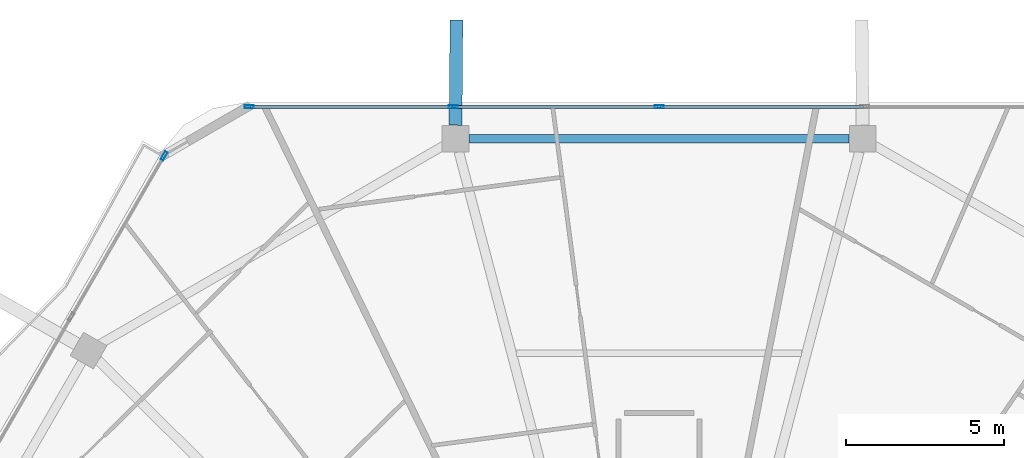
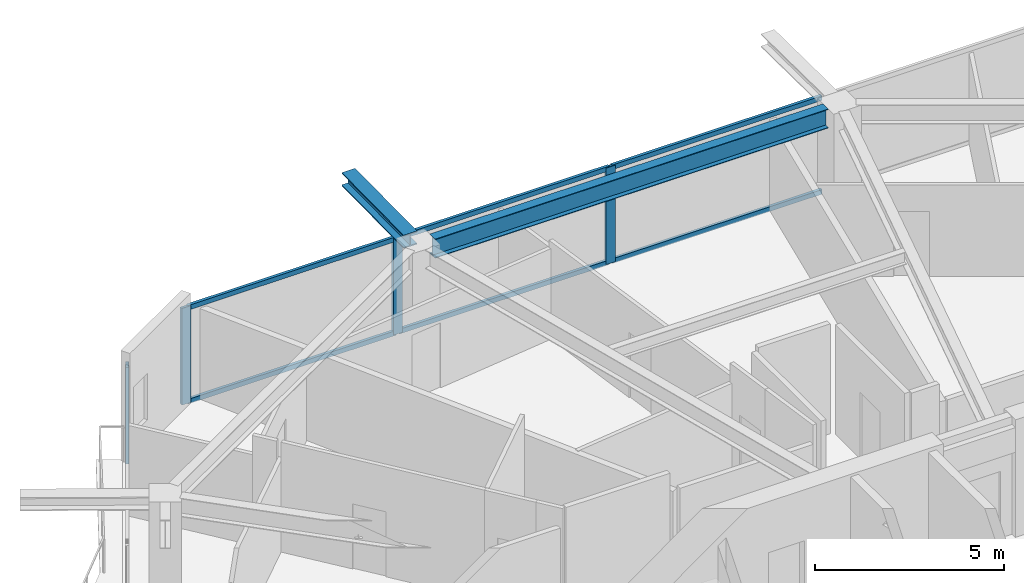
# One storey, part 13 of 26: 10 members, 2 beams, 2 elements without a shape of their own.
"""IFC4 building model written with IfcOpenShell, lengths in metres."""

from ifc_helpers import new_model, si_unit, direction, frame, origin, origin_2d, place, context, subcontext, project, spatial, hollow_rectangle, i_section, extrude, material, material_profile, profile_set, type_object, element, aggregate, save


model = new_model("IFC4")

# Units and contexts
model_context = context("Model", 3, precision=1e-05, world=origin(), true_north=direction((0.0, 1.0)))
body_context = subcontext(model_context, "Body", "Model", "MODEL_VIEW")
ifc_project = project(units=[si_unit("LENGTHUNIT", "METRE"), si_unit("AREAUNIT", "SQUARE_METRE"), si_unit("VOLUMEUNIT", "CUBIC_METRE"), si_unit("PLANEANGLEUNIT", "RADIAN"), si_unit("MASSUNIT", "GRAM", prefix="KILO")], contexts=[model_context])

# Site, building, storey
site_placement = place(None, origin())
site = spatial("IfcSite", under=ifc_project, at=site_placement, CompositionType="ELEMENT")
building_placement = place(site_placement, origin())
building = spatial("IfcBuilding", under=site, at=building_placement, Name="Zuhravey Tower", CompositionType="ELEMENT")
storey_placement = place(building_placement, frame((0.0, 0.0, 280.60009765625)))
storey = spatial("IfcBuildingStorey", under=building, at=storey_placement, Name="L71", CompositionType="ELEMENT", Elevation=280.60009765625)

# Curtain wall, member
ifc_material_1 = material(Name="Thermally broken anodised aluminium", Category="aluminium")
curtain_wall_type = type_object("IfcCurtainWallType", Name="Zone 3-4 High-Rise Curtain Wall CW4", PredefinedType="NOTDEFINED", material=ifc_material_1)
curtain_wall_1_placement = place(storey_placement, origin())
curtain_wall_1 = element("IfcCurtainWall", 1, at=curtain_wall_1_placement, inside=storey, type_object=curtain_wall_type, Name="L71 CW4 CW-L71-F3-1", PredefinedType="NOTDEFINED")
ifc_material_2 = material(Name="Anodised aluminium", Category="aluminium")
ifc_material_profile_1 = material_profile(ifc_material_2, hollow_rectangle(XDim=0.090087890625, YDim=0.284912109375, WallThickness=0.0048828125, at=origin_2d()), Name="ALU-RHS-90x285x5")
ifc_profile_set_1 = profile_set([ifc_material_profile_1], Name="Anodised aluminium")
member_type_1 = type_object("IfcMemberType", Name="Curtain-Wall Mullion 90x180", PredefinedType="MULLION", material=ifc_profile_set_1)
member_1_placement = place(storey_placement, frame((20.34521484375, 56.01220703125, 0.0), z_axis=(0.0, 0.0, 1.0), x_axis=(-0.866024370591, 0.500001789539, 0.0)))
member_1 = element("IfcMember", 2, at=member_1_placement, type_object=member_type_1, Name="CW4 mullion 5", PredefinedType="MULLION", context=body_context, shape_type="SweptSolid", body=[
    extrude(hollow_rectangle(XDim=0.090087890625, YDim=0.284912109375, WallThickness=0.0048828125, at=origin_2d()), origin(), (0.0, 0.0, 1.0), 3.121826171875),
])
aggregate(curtain_wall_1, [member_1])

# Curtain wall, members
curtain_wall_2_placement = place(storey_placement, origin())
curtain_wall_2 = element("IfcCurtainWall", 3, at=curtain_wall_2_placement, inside=storey, type_object=curtain_wall_type, Name="L71 CW4 CW-L71-F2-1", PredefinedType="NOTDEFINED")
member_2_placement = place(storey_placement, frame((23.0322265625, 57.563720703125, 0.0), z_axis=(0.0, 0.0, 1.0), x_axis=(0.0, 1.0, 0.0)))
member_2 = element("IfcMember", 4, at=member_2_placement, type_object=member_type_1, Name="CW4 mullion 1", PredefinedType="MULLION", context=body_context, shape_type="SweptSolid", body=[
    extrude(hollow_rectangle(XDim=0.090087890625, YDim=0.284912109375, WallThickness=0.0048828125, at=origin_2d()), origin(), (0.0, 0.0, 1.0), 3.121826171875),
])
member_3_placement = place(storey_placement, frame((29.49365234375, 57.563720703125, 0.0), z_axis=(0.0, 0.0, 1.0), x_axis=(0.0, 1.0, 0.0)))
member_3 = element("IfcMember", 5, at=member_3_placement, type_object=member_type_1, Name="CW4 mullion 2", PredefinedType="MULLION", context=body_context, shape_type="SweptSolid", body=[
    extrude(hollow_rectangle(XDim=0.090087890625, YDim=0.284912109375, WallThickness=0.0048828125, at=origin_2d()), origin(), (0.0, 0.0, 1.0), 3.121826171875),
])
member_4_placement = place(storey_placement, frame((36.0, 57.563720703125, 0.0), z_axis=(0.0, 0.0, 1.0), x_axis=(0.0, 1.0, 0.0)))
member_4 = element("IfcMember", 6, at=member_4_placement, type_object=member_type_1, Name="CW4 mullion 3", PredefinedType="MULLION", context=body_context, shape_type="SweptSolid", body=[
    extrude(hollow_rectangle(XDim=0.090087890625, YDim=0.284912109375, WallThickness=0.0048828125, at=origin_2d()), origin(), (0.0, 0.0, 1.0), 3.121826171875),
])
ifc_material_profile_2 = material_profile(ifc_material_2, hollow_rectangle(XDim=0.090087890625, YDim=0.14990234375, WallThickness=0.0048828125, at=origin_2d()), Name="ALU-RHS-90x150x5")
ifc_profile_set_2 = profile_set([ifc_material_profile_2], Name="Anodised aluminium")
member_type_2 = type_object("IfcMemberType", Name="Curtain-Wall Transom 90x150", PredefinedType="USERDEFINED", material=ifc_profile_set_2)
member_5_placement = place(storey_placement, frame((23.077392578125, 57.563720703125, 0.044921875), z_axis=(1.0, 0.0, 0.0), x_axis=(0.0, 1.0, 0.0)))
member_5 = element("IfcMember", 7, at=member_5_placement, type_object=member_type_2, Name="CW4 transom 1.1", ObjectType="TRANSOM", PredefinedType="USERDEFINED", context=body_context, shape_type="SweptSolid", body=[
    extrude(hollow_rectangle(XDim=0.090087890625, YDim=0.14990234375, WallThickness=0.0048828125, at=origin_2d()), origin(), (0.0, 0.0, 1.0), 6.371337890625),
])
member_6_placement = place(storey_placement, frame((23.077392578125, 57.563720703125, 3.076904296875), z_axis=(1.0, 0.0, 0.0), x_axis=(0.0, 1.0, 0.0)))
member_6 = element("IfcMember", 8, at=member_6_placement, type_object=member_type_2, Name="CW4 transom 1.2", ObjectType="TRANSOM", PredefinedType="USERDEFINED", context=body_context, shape_type="SweptSolid", body=[
    extrude(hollow_rectangle(XDim=0.090087890625, YDim=0.14990234375, WallThickness=0.0048828125, at=origin_2d()), origin(), (0.0, 0.0, 1.0), 6.371337890625),
])
member_7_placement = place(storey_placement, frame((29.53857421875, 57.563720703125, 0.044921875), z_axis=(1.0, 0.0, 0.0), x_axis=(0.0, 1.0, 0.0)))
member_7 = element("IfcMember", 9, at=member_7_placement, type_object=member_type_2, Name="CW4 transom 2.1", ObjectType="TRANSOM", PredefinedType="USERDEFINED", context=body_context, shape_type="SweptSolid", body=[
    extrude(hollow_rectangle(XDim=0.090087890625, YDim=0.14990234375, WallThickness=0.0048828125, at=origin_2d()), origin(), (0.0, 0.0, 1.0), 6.41650390625),
])
member_8_placement = place(storey_placement, frame((29.53857421875, 57.563720703125, 3.076904296875), z_axis=(1.0, 0.0, 0.0), x_axis=(0.0, 1.0, 0.0)))
member_8 = element("IfcMember", 10, at=member_8_placement, type_object=member_type_2, Name="CW4 transom 2.2", ObjectType="TRANSOM", PredefinedType="USERDEFINED", context=body_context, shape_type="SweptSolid", body=[
    extrude(hollow_rectangle(XDim=0.090087890625, YDim=0.14990234375, WallThickness=0.0048828125, at=origin_2d()), origin(), (0.0, 0.0, 1.0), 6.41650390625),
])
member_9_placement = place(storey_placement, frame((36.044921875, 57.563720703125, 0.044921875), z_axis=(1.0, 0.0, 0.0), x_axis=(0.0, 1.0, 0.0)))
member_9 = element("IfcMember", 11, at=member_9_placement, type_object=member_type_2, Name="CW4 transom 3.1", ObjectType="TRANSOM", PredefinedType="USERDEFINED", context=body_context, shape_type="SweptSolid", body=[
    extrude(hollow_rectangle(XDim=0.090087890625, YDim=0.14990234375, WallThickness=0.0048828125, at=origin_2d()), origin(), (0.0, 0.0, 1.0), 6.41650390625),
])
member_10_placement = place(storey_placement, frame((36.044921875, 57.563720703125, 3.076904296875), z_axis=(1.0, 0.0, 0.0), x_axis=(0.0, 1.0, 0.0)))
member_10 = element("IfcMember", 12, at=member_10_placement, type_object=member_type_2, Name="CW4 transom 3.2", ObjectType="TRANSOM", PredefinedType="USERDEFINED", context=body_context, shape_type="SweptSolid", body=[
    extrude(hollow_rectangle(XDim=0.090087890625, YDim=0.14990234375, WallThickness=0.0048828125, at=origin_2d()), origin(), (0.0, 0.0, 1.0), 6.41650390625),
])
aggregate(curtain_wall_2, [member_2, member_3, member_4, member_5, member_6, member_7, member_8, member_9, member_10])

# Beams
ifc_material_3 = material(Name="Steel SM460", Category="steel")
ifc_material_profile_3 = material_profile(ifc_material_3, i_section(OverallWidth=0.406982421875, OverallDepth=0.427978515625, WebThickness=0.02001953125, FlangeThickness=0.034912109375, at=origin_2d()), Name="H-428x407x20x35")
ifc_profile_set_3 = profile_set([ifc_material_profile_3], Name="Steel SM460")
beam_type_1 = type_object("IfcBeamType", Name="Exoskeleton Node Tie Beam H428x407", PredefinedType="BEAM", material=ifc_profile_set_3)
beam_1_placement = place(storey_placement, frame((29.56298828125, 56.982666015625, 3.3359375), z_axis=(0.00880829074, 0.999961206255, 0.0), x_axis=(-0.999961206255, 0.00880829074, 0.0)))
element("IfcBeam", 13, at=beam_1_placement, inside=storey, type_object=beam_type_1, Name="L71 Exoskeleton Node Tie NT1-04", PredefinedType="BEAM", context=body_context, shape_type="SweptSolid", body=[
    extrude(i_section(OverallWidth=0.406982421875, OverallDepth=0.427978515625, WebThickness=0.02001953125, FlangeThickness=0.034912109375, at=origin_2d()), origin(), (0.0, 0.0, 1.0), 3.326171875),
])
ifc_material_4 = material(Name="Steel SM355", Category="steel")
ifc_material_profile_4 = material_profile(ifc_material_4, i_section(OverallWidth=0.280029296875, OverallDepth=0.6201171875, WebThickness=0.011962890625, FlangeThickness=0.02001953125, at=origin_2d()), Name="H-620x280x12x20")
ifc_profile_set_4 = profile_set([ifc_material_profile_4], Name="Steel SM355")
beam_type_2 = type_object("IfcBeamType", Name="Perimeter Ring Beam H620x280", PredefinedType="BEAM", material=ifc_profile_set_4)
beam_2_placement = place(storey_placement, frame((42.012939453125, 56.5537109375, 3.239990234375), z_axis=(-1.0, 0.0, 0.0), x_axis=(0.0, -1.0, 0.0)))
element("IfcBeam", 14, at=beam_2_placement, inside=storey, type_object=beam_type_2, Name="L71 PB3 BM-L71-PB-03", PredefinedType="BEAM", context=body_context, shape_type="SweptSolid", body=[
    extrude(i_section(OverallWidth=0.280029296875, OverallDepth=0.6201171875, WebThickness=0.011962890625, FlangeThickness=0.02001953125, at=origin_2d()), origin(), (0.0, 0.0, 1.0), 12.02587890625),
])

save(model, "model.ifc")
